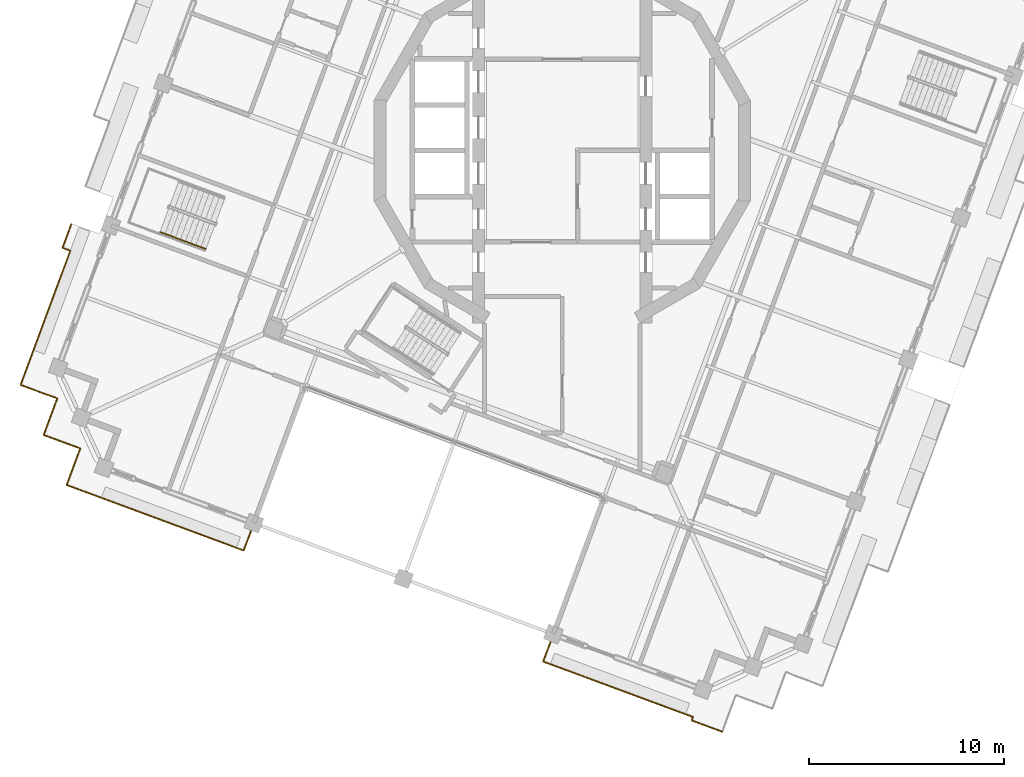
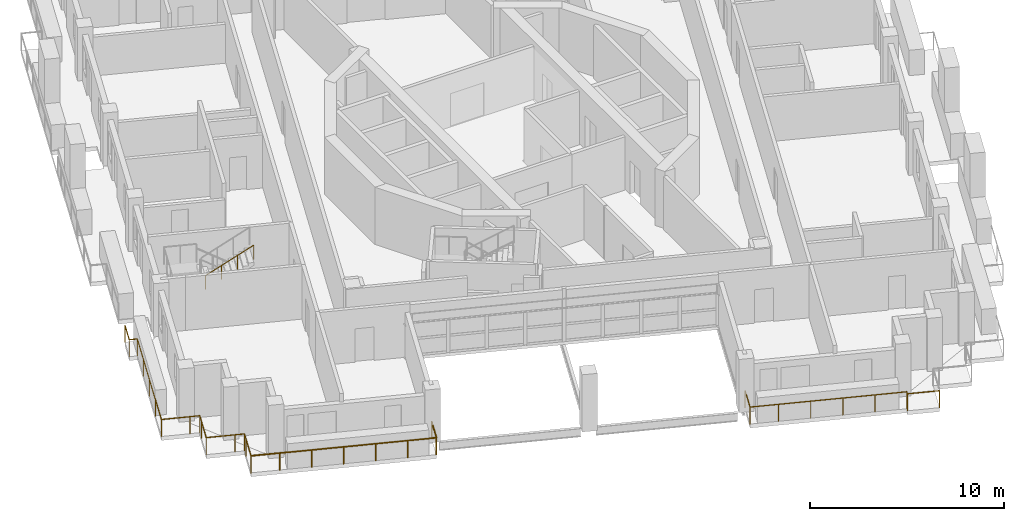
# One storey, part 13 of 19: 4 railings.
"""IFC4 building model written with IfcOpenShell, lengths in metres."""

from ifc_helpers import new_model, si_unit, direction, frame, origin, origin_2d, place, context, subcontext, project, spatial, circle, extrude, material, type_object, element, save


model = new_model("IFC4")

# Units and contexts
model_context = context("Model", 3, precision=1e-05, world=origin(), true_north=direction((0.0, 1.0)))
body_context = subcontext(model_context, "Body", "Model", "MODEL_VIEW")
ifc_project = project(units=[si_unit("LENGTHUNIT", "METRE"), si_unit("AREAUNIT", "SQUARE_METRE"), si_unit("VOLUMEUNIT", "CUBIC_METRE"), si_unit("PLANEANGLEUNIT", "RADIAN"), si_unit("MASSUNIT", "GRAM", prefix="KILO")], contexts=[model_context])

# Site, building, storey
site_placement = place(None, origin())
site = spatial("IfcSite", under=ifc_project, at=site_placement, CompositionType="ELEMENT")
building_placement = place(site_placement, origin())
building = spatial("IfcBuilding", under=site, at=building_placement, Name="Cantera Rosa Tower", CompositionType="ELEMENT")
storey_placement = place(building_placement, frame((0.0, 0.0, 320.5)))
storey = spatial("IfcBuildingStorey", under=building, at=storey_placement, Name="L71", CompositionType="ELEMENT", Elevation=320.5)

# Railings
ifc_material_1 = material(Name="Stainless steel and laminated glass", Category="steel")
railing_type_1 = type_object("IfcRailingType", Name="GUARD 1100", PredefinedType="BALUSTRADE", material=ifc_material_1)
railing_1_placement = place(storey_placement, frame((-25.454345703125, -17.17529296875, 0.0)))
element("IfcRailing", 1, at=railing_1_placement, inside=storey, type_object=railing_type_1, Name="GUARD L71-1", PredefinedType="BALUSTRADE", context=body_context, shape_type="SweptSolid", body=[
    extrude(circle(Radius=0.030029296875, at=origin_2d()), frame((0.0, 0.0, 1.070068359375), z_axis=(0.347499887537, 0.937680024402, 0.0), x_axis=(-0.937680024402, 0.347499887537, 0.0)), (0.0, 0.0, 1.0), 1.5),
    extrude(circle(Radius=0.030029296875, at=origin_2d()), frame((0.521240234375, 1.406494140625, 1.070068359375), z_axis=(0.347696042931, 0.937607306781, 0.0), x_axis=(-0.937607306781, 0.347696042931, 0.0)), (0.0, 0.0, 1.0), 0.5),
    extrude(circle(Radius=0.030029296875, at=origin_2d()), frame((0.695068359375, 1.875244140625, 1.070068359375), z_axis=(-0.937607306781, 0.347696042931, 0.0), x_axis=(-0.347696042931, -0.937607306781, 0.0)), (0.0, 0.0, 1.0), 0.5),
    extrude(circle(Radius=0.030029296875, at=origin_2d()), frame((0.226318359375, 2.049072265625, 1.070068359375), z_axis=(-0.93769967459, 0.347446859641, 0.0), x_axis=(-0.347446859641, -0.93769967459, 0.0)), (0.0, 0.0, 1.0), 1.500244140625),
    extrude(circle(Radius=0.030029296875, at=origin_2d()), frame((-1.180419921875, 2.5703125, 1.070068359375), z_axis=(0.347499887537, 0.937680024402, 0.0), x_axis=(-0.937680024402, 0.347499887537, 0.0)), (0.0, 0.0, 1.0), 1.5),
    extrude(circle(Radius=0.030029296875, at=origin_2d()), frame((-0.6591796875, 3.976806640625, 1.070068359375), z_axis=(0.347696042931, 0.937607306781, 0.0), x_axis=(-0.937607306781, 0.347696042931, 0.0)), (0.0, 0.0, 1.0), 0.5),
    extrude(circle(Radius=0.030029296875, at=origin_2d()), frame((-0.4853515625, 4.445556640625, 1.070068359375), z_axis=(-0.937607306781, 0.347696042931, 0.0), x_axis=(-0.347696042931, -0.937607306781, 0.0)), (0.0, 0.0, 1.0), 0.5),
    extrude(circle(Radius=0.030029296875, at=origin_2d()), frame((-0.9541015625, 4.619384765625, 1.070068359375), z_axis=(-0.378632845721, -0.925546956206, 0.0), x_axis=(0.925546956206, -0.378632845721, 0.0)), (0.0, 0.0, 1.0), 0.005859375),
    extrude(circle(Radius=0.030029296875, at=origin_2d()), frame((-0.956298828125, 4.614013671875, 1.070068359375), z_axis=(-0.937688112969, 0.347478060884, 0.0), x_axis=(-0.347478060884, -0.937688112969, 0.0)), (0.0, 0.0, 1.0), 1.505615234375),
    extrude(circle(Radius=0.030029296875, at=origin_2d()), frame((-2.3681640625, 5.13720703125, 1.070068359375), z_axis=(0.347491761562, 0.93768303581, 0.0), x_axis=(-0.93768303581, 0.347491761562, 0.0)), (0.0, 0.0, 1.0), 7.350341796875),
    extrude(circle(Radius=0.030029296875, at=origin_2d()), frame((0.18603515625, 12.029541015625, 1.070068359375), z_axis=(-0.937584149048, 0.347758484374, 0.0), x_axis=(-0.347758484374, -0.937584149048, 0.0)), (0.0, 0.0, 1.0), 0.4296875),
    extrude(circle(Radius=0.030029296875, at=origin_2d()), frame((-0.216796875, 12.178955078125, 1.070068359375), z_axis=(0.347533658579, 0.937667508318, 0.0), x_axis=(-0.937667508318, 0.347533658579, 0.0)), (0.0, 0.0, 1.0), 1.30517578125),
    extrude(circle(Radius=0.02490234375, at=origin_2d()), origin(), (0.0, 0.0, 1.0), 1.0400390625),
    extrude(circle(Radius=0.02490234375, at=origin_2d()), frame((0.521240234375, 1.406494140625, 0.0)), (0.0, 0.0, 1.0), 1.0400390625),
    extrude(circle(Radius=0.02490234375, at=origin_2d()), frame((0.695068359375, 1.875244140625, 0.0)), (0.0, 0.0, 1.0), 1.0400390625),
    extrude(circle(Radius=0.02490234375, at=origin_2d()), frame((0.226318359375, 2.049072265625, 0.0)), (0.0, 0.0, 1.0), 1.0400390625),
    extrude(circle(Radius=0.02490234375, at=origin_2d()), frame((-1.180419921875, 2.5703125, 0.0)), (0.0, 0.0, 1.0), 1.0400390625),
    extrude(circle(Radius=0.02490234375, at=origin_2d()), frame((-0.6591796875, 3.976806640625, 0.0)), (0.0, 0.0, 1.0), 1.0400390625),
    extrude(circle(Radius=0.02490234375, at=origin_2d()), frame((-0.4853515625, 4.445556640625, 0.0)), (0.0, 0.0, 1.0), 1.0400390625),
    extrude(circle(Radius=0.02490234375, at=origin_2d()), frame((-0.9541015625, 4.619384765625, 0.0)), (0.0, 0.0, 1.0), 1.0400390625),
    extrude(circle(Radius=0.02490234375, at=origin_2d()), frame((-0.956298828125, 4.614013671875, 0.0)), (0.0, 0.0, 1.0), 1.0400390625),
    extrude(circle(Radius=0.02490234375, at=origin_2d()), frame((-2.3681640625, 5.13720703125, 0.0)), (0.0, 0.0, 1.0), 1.0400390625),
    extrude(circle(Radius=0.02490234375, at=origin_2d()), frame((-1.7294921875, 6.8603515625, 0.0)), (0.0, 0.0, 1.0), 1.0400390625),
    extrude(circle(Radius=0.02490234375, at=origin_2d()), frame((-1.091064453125, 8.58349609375, 0.0)), (0.0, 0.0, 1.0), 1.0400390625),
    extrude(circle(Radius=0.02490234375, at=origin_2d()), frame((-0.45263671875, 10.306396484375, 0.0)), (0.0, 0.0, 1.0), 1.0400390625),
    extrude(circle(Radius=0.02490234375, at=origin_2d()), frame((0.18603515625, 12.029541015625, 0.0)), (0.0, 0.0, 1.0), 1.0400390625),
    extrude(circle(Radius=0.02490234375, at=origin_2d()), frame((-0.216796875, 12.178955078125, 0.0)), (0.0, 0.0, 1.0), 1.0400390625),
    extrude(circle(Radius=0.02490234375, at=origin_2d()), frame((0.23681640625, 13.40283203125, 0.0)), (0.0, 0.0, 1.0), 1.0400390625),
])
railing_2_placement = place(storey_placement, frame((-15.844482421875, -19.158203125, 0.0)))
element("IfcRailing", 2, at=railing_2_placement, inside=storey, type_object=railing_type_1, Name="GUARD L71-2", PredefinedType="BALUSTRADE", context=body_context, shape_type="SweptSolid", body=[
    extrude(circle(Radius=0.030029296875, at=origin_2d()), frame((0.0, 0.0, 1.070068359375), z_axis=(-0.347432560301, -0.937704972815, 0.0), x_axis=(0.937704972815, -0.347432560301, 0.0)), (0.0, 0.0, 1.0), 1.47998046875),
    extrude(circle(Radius=0.030029296875, at=origin_2d()), frame((-0.51416015625, -1.3876953125, 1.070068359375), z_axis=(-0.937680024402, 0.347499887537, 0.0), x_axis=(-0.347499887537, -0.937680024402, 0.0)), (0.0, 0.0, 1.0), 1.5),
    extrude(circle(Radius=0.030029296875, at=origin_2d()), frame((-1.920654296875, -0.866455078125, 1.070068359375), z_axis=(-0.937686328856, 0.347482875373, 0.0), x_axis=(-0.347482875373, -0.937686328856, 0.0)), (0.0, 0.0, 1.0), 6.699951171875),
    extrude(circle(Radius=0.030029296875, at=origin_2d()), frame((-8.203125, 1.461669921875, 1.070068359375), z_axis=(-0.93769967459, 0.347446859641, 0.0), x_axis=(-0.347446859641, -0.93769967459, 0.0)), (0.0, 0.0, 1.0), 1.500244140625),
    extrude(circle(Radius=0.02490234375, at=origin_2d()), origin(), (0.0, 0.0, 1.0), 1.0400390625),
    extrude(circle(Radius=0.02490234375, at=origin_2d()), frame((-0.51416015625, -1.3876953125, 0.0)), (0.0, 0.0, 1.0), 1.0400390625),
    extrude(circle(Radius=0.02490234375, at=origin_2d()), frame((-1.920654296875, -0.866455078125, 0.0)), (0.0, 0.0, 1.0), 1.0400390625),
    extrude(circle(Radius=0.02490234375, at=origin_2d()), frame((-3.4912109375, -0.284423828125, 0.0)), (0.0, 0.0, 1.0), 1.0400390625),
    extrude(circle(Radius=0.02490234375, at=origin_2d()), frame((-5.06201171875, 0.297607421875, 0.0)), (0.0, 0.0, 1.0), 1.0400390625),
    extrude(circle(Radius=0.02490234375, at=origin_2d()), frame((-6.632568359375, 0.879638671875, 0.0)), (0.0, 0.0, 1.0), 1.0400390625),
    extrude(circle(Radius=0.02490234375, at=origin_2d()), frame((-8.203125, 1.461669921875, 0.0)), (0.0, 0.0, 1.0), 1.0400390625),
    extrude(circle(Radius=0.02490234375, at=origin_2d()), frame((-9.60986328125, 1.98291015625, 0.0)), (0.0, 0.0, 1.0), 1.0400390625),
])
railing_3_placement = place(storey_placement, frame((8.225341796875, -29.85546875, 0.0)))
element("IfcRailing", 3, at=railing_3_placement, inside=storey, type_object=railing_type_1, Name="GUARD L71-5", PredefinedType="BALUSTRADE", context=body_context, shape_type="SweptSolid", body=[
    extrude(circle(Radius=0.030029296875, at=origin_2d()), frame((0.0, 0.0, 1.070068359375), z_axis=(-0.937684149969, 0.347488755066, 0.0), x_axis=(-0.347488755066, -0.937684149969, 0.0)), (0.0, 0.0, 1.0), 1.68701171875),
    extrude(circle(Radius=0.030029296875, at=origin_2d()), frame((-1.581787109375, 0.586181640625, 1.070068359375), z_axis=(0.347399426404, 0.937717248713, 0.0), x_axis=(-0.937717248713, 0.347399426404, 0.0)), (0.0, 0.0, 1.0), 0.18701171875),
    extrude(circle(Radius=0.030029296875, at=origin_2d()), frame((-1.516845703125, 0.761474609375, 1.070068359375), z_axis=(-0.937686328856, 0.347482875373, 0.0), x_axis=(-0.347482875373, -0.937686328856, 0.0)), (0.0, 0.0, 1.0), 6.699951171875),
    extrude(circle(Radius=0.030029296875, at=origin_2d()), frame((-7.79931640625, 3.089599609375, 1.070068359375), z_axis=(-0.93769967459, 0.347446859641, 0.0), x_axis=(-0.347446859641, -0.93769967459, 0.0)), (0.0, 0.0, 1.0), 1.500244140625),
    extrude(circle(Radius=0.030029296875, at=origin_2d()), frame((-9.2060546875, 3.61083984375, 1.070068359375), z_axis=(0.347577606798, 0.937651218339, 0.0), x_axis=(-0.937651218339, 0.347577606798, 0.0)), (0.0, 0.0, 1.0), 1.47998046875),
    extrude(circle(Radius=0.02490234375, at=origin_2d()), origin(), (0.0, 0.0, 1.0), 1.0400390625),
    extrude(circle(Radius=0.02490234375, at=origin_2d()), frame((-1.581787109375, 0.586181640625, 0.0)), (0.0, 0.0, 1.0), 1.0400390625),
    extrude(circle(Radius=0.02490234375, at=origin_2d()), frame((-1.516845703125, 0.761474609375, 0.0)), (0.0, 0.0, 1.0), 1.0400390625),
    extrude(circle(Radius=0.02490234375, at=origin_2d()), frame((-3.08740234375, 1.343505859375, 0.0)), (0.0, 0.0, 1.0), 1.0400390625),
    extrude(circle(Radius=0.02490234375, at=origin_2d()), frame((-4.658203125, 1.925537109375, 0.0)), (0.0, 0.0, 1.0), 1.0400390625),
    extrude(circle(Radius=0.02490234375, at=origin_2d()), frame((-6.228759765625, 2.507568359375, 0.0)), (0.0, 0.0, 1.0), 1.0400390625),
    extrude(circle(Radius=0.02490234375, at=origin_2d()), frame((-7.79931640625, 3.089599609375, 0.0)), (0.0, 0.0, 1.0), 1.0400390625),
    extrude(circle(Radius=0.02490234375, at=origin_2d()), frame((-9.2060546875, 3.61083984375, 0.0)), (0.0, 0.0, 1.0), 1.0400390625),
    extrude(circle(Radius=0.02490234375, at=origin_2d()), frame((-8.691650390625, 4.99853515625, 0.0)), (0.0, 0.0, 1.0), 1.0400390625),
])
ifc_material_2 = material(Name="Steel S355J2 (EN 10025-2)", Category="steel")
railing_type_2 = type_object("IfcRailingType", Name="STAIR HANDRAIL 900", PredefinedType="HANDRAIL", material=ifc_material_2)
railing_4_placement = place(storey_placement, frame((-20.660400390625, -4.181396484375, 1.97998046875)))
element("IfcRailing", 4, at=railing_4_placement, inside=storey, type_object=railing_type_2, Name="L71 ST-63 stair handrail 2", PredefinedType="HANDRAIL", context=body_context, shape_type="SweptSolid", body=[
    extrude(circle(Radius=0.02392578125, at=origin_2d()), frame((0.0, 0.0, 0.8759765625), z_axis=(0.788747577403, -0.292306804437, 0.540771662738), x_axis=(0.347500508527, 0.937679794265, 0.0)), (0.0, 0.0, 1.0), 2.995849609375),
    extrude(circle(Radius=0.02099609375, at=origin_2d()), origin(), (0.0, 0.0, 1.0), 0.851806640625),
    extrude(circle(Radius=0.02099609375, at=origin_2d()), frame((0.78759765625, -0.2919921875, 0.5400390625)), (0.0, 0.0, 1.0), 0.851806640625),
    extrude(circle(Radius=0.02099609375, at=origin_2d()), frame((1.575439453125, -0.583740234375, 1.080078125)), (0.0, 0.0, 1.0), 0.851806640625),
    extrude(circle(Radius=0.02099609375, at=origin_2d()), frame((2.363037109375, -0.875732421875, 1.6201171875)), (0.0, 0.0, 1.0), 0.851806640625),
])

save(model, "model.ifc")
